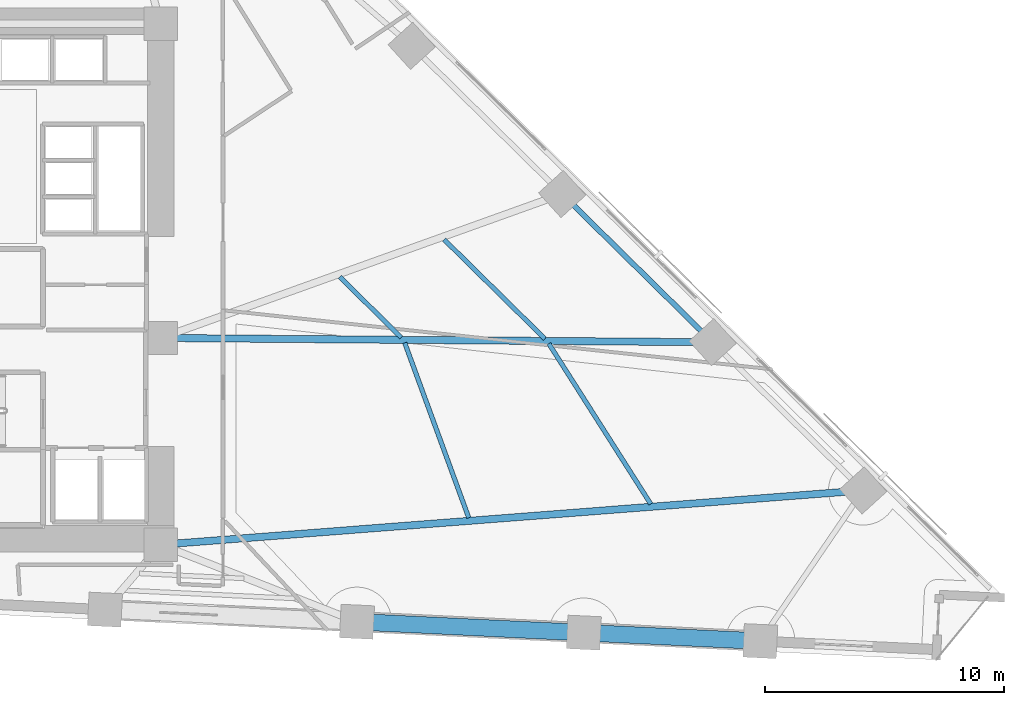
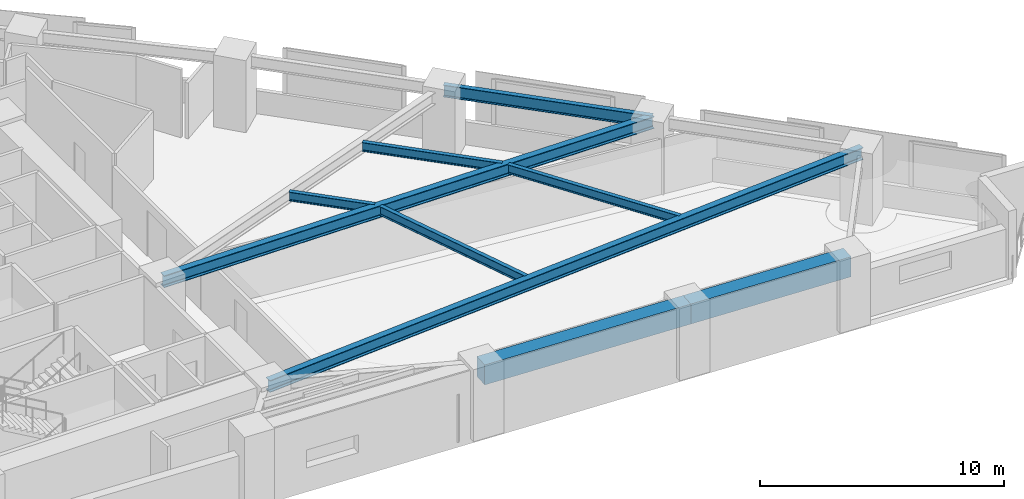
# One storey, part 3 of 17: 9 beams.
"""IFC4 building model written with IfcOpenShell, lengths in metres."""

from ifc_helpers import new_model, si_unit, direction, frame, origin, origin_2d, place, context, subcontext, project, spatial, rectangle, i_section, extrude, material, material_profile, profile_set, type_object, element, save


model = new_model("IFC4")

# Units and contexts
model_context = context("Model", 3, precision=1e-05, world=origin(), true_north=direction((0.0, 1.0)))
body_context = subcontext(model_context, "Body", "Model", "MODEL_VIEW")
ifc_project = project(units=[si_unit("LENGTHUNIT", "METRE"), si_unit("AREAUNIT", "SQUARE_METRE"), si_unit("VOLUMEUNIT", "CUBIC_METRE"), si_unit("PLANEANGLEUNIT", "RADIAN"), si_unit("MASSUNIT", "GRAM", prefix="KILO")], contexts=[model_context])

# Site, building, storey
site_placement = place(None, origin())
site = spatial("IfcSite", under=ifc_project, at=site_placement, CompositionType="ELEMENT")
building_placement = place(site_placement, origin())
building = spatial("IfcBuilding", under=site, at=building_placement, Name="Narakoshi Arena Tower", CompositionType="ELEMENT")
storey_placement = place(building_placement, frame((0.0, 0.0, 48.300048828125)))
storey = spatial("IfcBuildingStorey", under=building, at=storey_placement, Name="L12", CompositionType="ELEMENT", Elevation=48.300048828125)

# Beams
ifc_material_1 = material(Name="Concrete C60/75", Category="concrete")
ifc_material_profile_1 = material_profile(ifc_material_1, rectangle(XDim=0.699951171875, YDim=1.0, at=origin_2d()), Name="RCB700x1000")
ifc_profile_set_1 = profile_set([ifc_material_profile_1], Name="Concrete C60/75")
beam_type_1 = type_object("IfcBeamType", Name="BM-CPL-1000", PredefinedType="BEAM", material=ifc_profile_set_1)
beam_1_placement = place(storey_placement, frame((93.760009765625, 31.472412109375, 2.89990234375), z_axis=(0.998849228903, -0.047960587155, 0.0), x_axis=(0.047960587155, 0.998849228903, 0.0)))
element("IfcBeam", 1, at=beam_1_placement, inside=storey, type_object=beam_type_1, Name="L12 Perimeter Edge Girder 02", PredefinedType="BEAM", context=body_context, shape_type="SweptSolid", body=[
    extrude(rectangle(XDim=0.699951171875, YDim=1.0, at=origin_2d()), origin(), (0.0, 0.0, 1.0), 9.50390625),
])
beam_2_placement = place(storey_placement, frame((103.2529296875, 31.0166015625, 2.89990234375), z_axis=(0.998847872759, -0.047988822508, 0.0), x_axis=(0.047988822508, 0.998847872759, 0.0)))
element("IfcBeam", 2, at=beam_2_placement, inside=storey, type_object=beam_type_1, Name="L12 Perimeter Edge Girder 03", PredefinedType="BEAM", context=body_context, shape_type="SweptSolid", body=[
    extrude(rectangle(XDim=0.699951171875, YDim=1.0, at=origin_2d()), origin(), (0.0, 0.0, 1.0), 7.39208984375),
])
ifc_material_2 = material(Name="Structural steel S355J2", Category="steel")
ifc_material_profile_2 = material_profile(ifc_material_2, i_section(OverallWidth=0.219970703125, OverallDepth=0.60009765625, WebThickness=0.011962890625, FlangeThickness=0.01904296875, FilletRadius=0.02392578125, at=origin_2d()), Name="IPE600")
ifc_profile_set_2 = profile_set([ifc_material_profile_2], Name="Structural steel S355J2")
beam_type_2 = type_object("IfcBeamType", Name="BM-EDGE-600", PredefinedType="BEAM", material=ifc_profile_set_2)
beam_3_placement = place(storey_placement, frame((108.643798828125, 43.171875, 3.099853515625), z_axis=(-0.712540689328, 0.70163079041, 0.0), x_axis=(-0.70163079041, -0.712540689328, 0.0)))
element("IfcBeam", 3, at=beam_3_placement, inside=storey, type_object=beam_type_2, Name="L12 Perimeter Edge Girder 06", PredefinedType="BEAM", context=body_context, shape_type="SweptSolid", body=[
    extrude(i_section(OverallWidth=0.219970703125, OverallDepth=0.60009765625, WebThickness=0.011962890625, FlangeThickness=0.01904296875, FilletRadius=0.02392578125, at=origin_2d()), origin(), (0.0, 0.0, 1.0), 8.83935546875),
])
ifc_material_profile_3 = material_profile(ifc_material_2, i_section(OverallWidth=0.300048828125, OverallDepth=0.60009765625, WebThickness=0.015380859375, FlangeThickness=0.030029296875, FilletRadius=0.027099609375, at=origin_2d()), Name="HE600B")
ifc_profile_set_3 = profile_set([ifc_material_profile_3], Name="Structural steel S355J2")
beam_type_3 = type_object("IfcBeamType", Name="BM-PRI-600", PredefinedType="BEAM", material=ifc_profile_set_3)
beam_4_placement = place(storey_placement, frame((85.550048828125, 34.699951171875, 3.099853515625), z_axis=(0.99703085997, 0.077003014669, 0.0), x_axis=(-0.077003014669, 0.99703085997, 0.0)))
element("IfcBeam", 4, at=beam_4_placement, inside=storey, type_object=beam_type_3, Name="L12 Radial Primary Floor Girder 05", PredefinedType="BEAM", context=body_context, shape_type="SweptSolid", body=[
    extrude(i_section(OverallWidth=0.300048828125, OverallDepth=0.60009765625, WebThickness=0.015380859375, FlangeThickness=0.030029296875, FilletRadius=0.027099609375, at=origin_2d()), origin(), (0.0, 0.0, 1.0), 29.479736328125),
])
beam_5_placement = place(storey_placement, frame((85.550048828125, 43.35009765625, 3.099853515625), z_axis=(0.99997022255, -0.00771712473, 0.0), x_axis=(0.00771712473, 0.99997022255, 0.0)))
element("IfcBeam", 5, at=beam_5_placement, inside=storey, type_object=beam_type_3, Name="L12 Radial Primary Floor Girder 06", PredefinedType="BEAM", context=body_context, shape_type="SweptSolid", body=[
    extrude(i_section(OverallWidth=0.300048828125, OverallDepth=0.60009765625, WebThickness=0.015380859375, FlangeThickness=0.030029296875, FilletRadius=0.027099609375, at=origin_2d()), origin(), (0.0, 0.0, 1.0), 23.094482421875),
])
ifc_material_profile_4 = material_profile(ifc_material_2, i_section(OverallWidth=0.18994140625, OverallDepth=0.449951171875, WebThickness=0.009521484375, FlangeThickness=0.0146484375, FilletRadius=0.02099609375, at=origin_2d()), Name="IPE450")
ifc_profile_set_4 = profile_set([ifc_material_profile_4], Name="Structural steel S355J2")
beam_type_4 = type_object("IfcBeamType", Name="BM-SEC-450", PredefinedType="JOIST", material=ifc_profile_set_4)
beam_6_placement = place(storey_placement, frame((98.436279296875, 35.825439453125, 3.175048828125), z_axis=(-0.343646214549, 0.939099184978, 0.0), x_axis=(-0.939099184978, -0.343646214549, 0.0)))
element("IfcBeam", 6, at=beam_6_placement, inside=storey, type_object=beam_type_4, Name="L12 Composite Secondary Floor Joist 03", PredefinedType="JOIST", context=body_context, shape_type="SweptSolid", body=[
    extrude(i_section(OverallWidth=0.18994140625, OverallDepth=0.449951171875, WebThickness=0.009521484375, FlangeThickness=0.0146484375, FilletRadius=0.02099609375, at=origin_2d()), origin(), (0.0, 0.0, 1.0), 7.794189453125),
])
beam_7_placement = place(storey_placement, frame((106.052001953125, 36.40283203125, 3.175048828125), z_axis=(-0.536416331891, 0.843953505165, 0.0), x_axis=(-0.843953505165, -0.536416331891, 0.0)))
element("IfcBeam", 7, at=beam_7_placement, inside=storey, type_object=beam_type_4, Name="L12 Composite Secondary Floor Joist 04", PredefinedType="JOIST", context=body_context, shape_type="SweptSolid", body=[
    extrude(i_section(OverallWidth=0.18994140625, OverallDepth=0.449951171875, WebThickness=0.009521484375, FlangeThickness=0.0146484375, FilletRadius=0.02099609375, at=origin_2d()), origin(), (0.0, 0.0, 1.0), 7.948974609375),
])
beam_8_placement = place(storey_placement, frame((95.614990234375, 43.366455078125, 3.175048828125), z_axis=(-0.71254969756, 0.701621641989, 0.0), x_axis=(-0.701621641989, -0.71254969756, 0.0)))
element("IfcBeam", 8, at=beam_8_placement, inside=storey, type_object=beam_type_4, Name="L12 Composite Secondary Floor Joist 05", PredefinedType="JOIST", context=body_context, shape_type="SweptSolid", body=[
    extrude(i_section(OverallWidth=0.18994140625, OverallDepth=0.449951171875, WebThickness=0.009521484375, FlangeThickness=0.0146484375, FilletRadius=0.02099609375, at=origin_2d()), origin(), (0.0, 0.0, 1.0), 3.619140625),
])
beam_9_placement = place(storey_placement, frame((101.619384765625, 43.320068359375, 3.175048828125), z_axis=(-0.71253191184, 0.701639704271, 0.0), x_axis=(-0.701639704271, -0.71253191184, 0.0)))
element("IfcBeam", 9, at=beam_9_placement, inside=storey, type_object=beam_type_4, Name="L12 Composite Secondary Floor Joist 06", PredefinedType="JOIST", context=body_context, shape_type="SweptSolid", body=[
    extrude(i_section(OverallWidth=0.18994140625, OverallDepth=0.449951171875, WebThickness=0.009521484375, FlangeThickness=0.0146484375, FilletRadius=0.02099609375, at=origin_2d()), origin(), (0.0, 0.0, 1.0), 5.91748046875),
])

save(model, "model.ifc")
